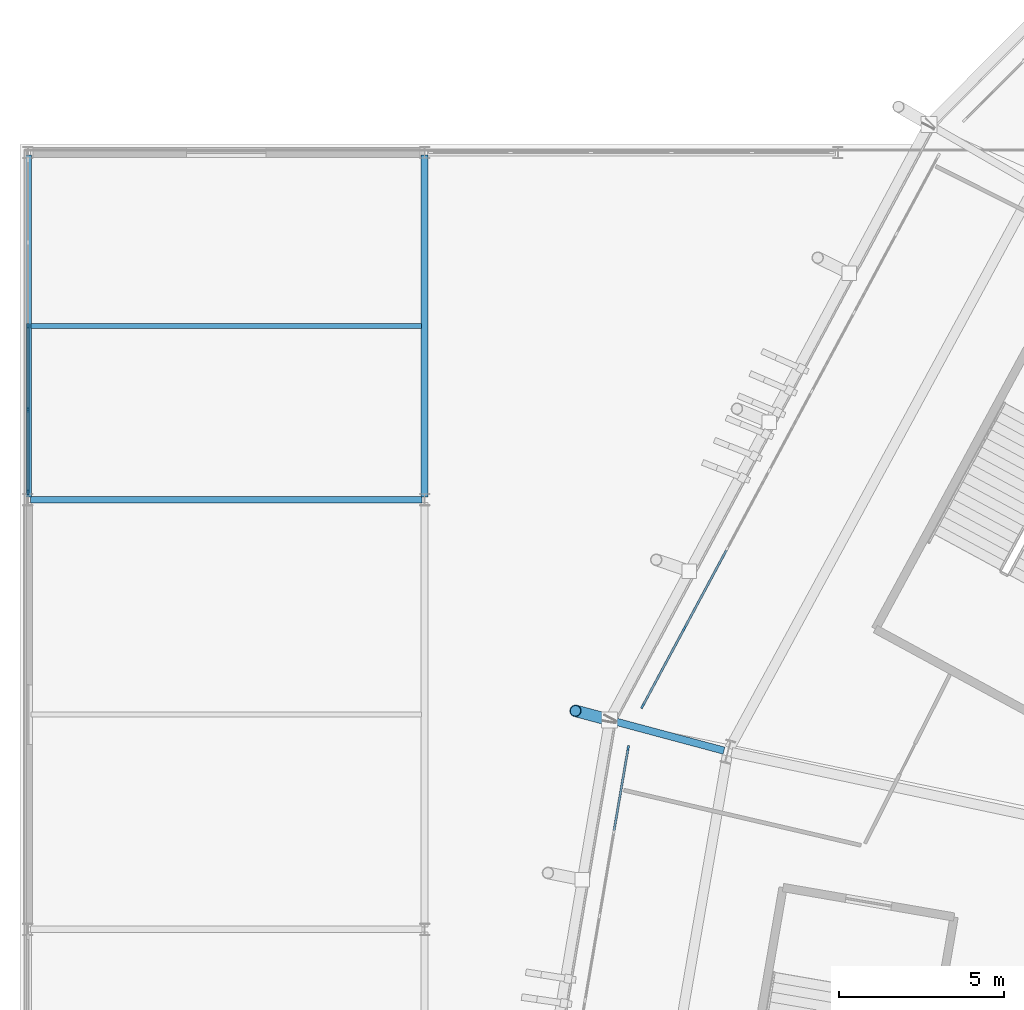
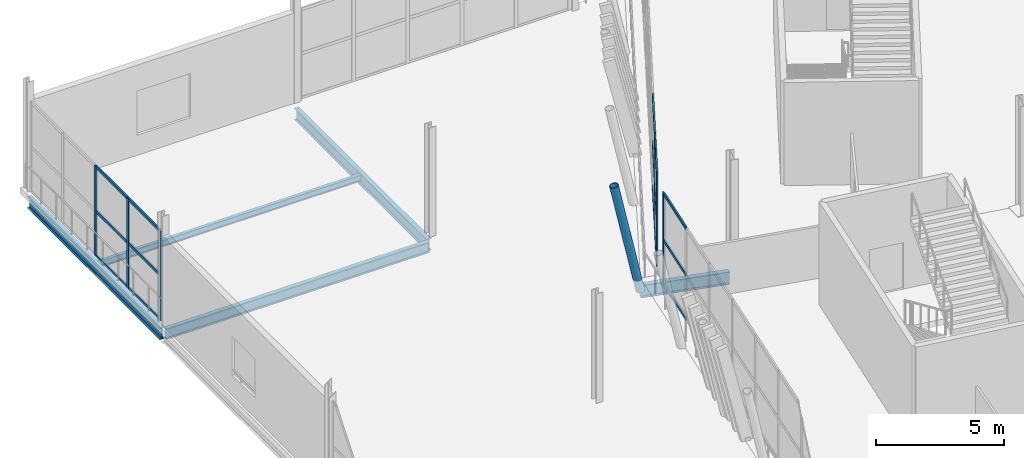
# One storey, part 40 of 168: 22 members, 5 beams, 3 elements without a shape of their own.
"""IFC4 building model written with IfcOpenShell, lengths in metres."""

from ifc_helpers import new_model, si_unit, direction, frame, origin, origin_2d, place, context, subcontext, project, spatial, rectangle, hollow_circle, i_section, extrude, material, material_profile, profile_set, type_object, element, aggregate, save


model = new_model("IFC4")

# Units and contexts
model_context = context("Model", 3, precision=1e-05, world=origin(), true_north=direction((0.0, 1.0)))
body_context = subcontext(model_context, "Body", "Model", "MODEL_VIEW")
ifc_project = project(units=[si_unit("LENGTHUNIT", "METRE"), si_unit("AREAUNIT", "SQUARE_METRE"), si_unit("VOLUMEUNIT", "CUBIC_METRE"), si_unit("PLANEANGLEUNIT", "RADIAN"), si_unit("MASSUNIT", "GRAM", prefix="KILO")], contexts=[model_context])

# Site, building, storey
site_placement = place(None, origin())
site = spatial("IfcSite", under=ifc_project, at=site_placement, CompositionType="ELEMENT")
building_placement = place(site_placement, origin())
building = spatial("IfcBuilding", under=site, at=building_placement, Name="Zlatoyarsky Gate Stadium", CompositionType="ELEMENT")
storey_placement = place(building_placement, frame((0.0, 0.0, 15.60009765625)))
storey = spatial("IfcBuildingStorey", under=building, at=storey_placement, Name="L03", CompositionType="ELEMENT", Elevation=15.60009765625)

# Curtain wall, members
ifc_material_1 = material(Name="Thermally broken anodised aluminium curtain wall", Category="aluminium")
curtain_wall_type_1 = type_object("IfcCurtainWallType", Name="UNITISED CORPORATE BOX GLAZING L03", PredefinedType="USERDEFINED", material=ifc_material_1)
curtain_wall_1_placement = place(storey_placement, origin())
curtain_wall_1 = element("IfcCurtainWall", 1, at=curtain_wall_1_placement, inside=storey, type_object=curtain_wall_type_1, Name="Curtain wall CW-L03-10", ObjectType="UNITISED GLAZING", PredefinedType="USERDEFINED")
ifc_material_2 = material(Name="Anodised aluminium 6063-T6", Category="aluminium")
ifc_material_profile_1 = material_profile(ifc_material_2, rectangle(XDim=0.06494140625, YDim=0.159912109375, at=origin_2d()), Name="ALU 65X160")
ifc_profile_set_1 = profile_set([ifc_material_profile_1], Name="Anodised aluminium 6063-T6")
member_type_1 = type_object("IfcMemberType", Name="ALUMINIUM MULLION 65X160", PredefinedType="MULLION", material=ifc_profile_set_1)
member_1_placement = place(storey_placement, frame((19.85888671875, 102.11181640625, 0.0), z_axis=(0.0, 0.0, 1.0), x_axis=(0.880877202392, -0.473344857694, 0.0)))
member_1 = element("IfcMember", 2, at=member_1_placement, type_object=member_type_1, Name="CW-UG3 mullion 7", PredefinedType="MULLION", context=body_context, shape_type="SweptSolid", body=[
    extrude(rectangle(XDim=0.06494140625, YDim=0.159912109375, at=origin_2d()), origin(), (0.0, 0.0, 1.0), 4.3798828125),
])
member_2_placement = place(storey_placement, frame((18.592041015625, 99.75439453125, 0.0), z_axis=(0.0, 0.0, 1.0), x_axis=(0.880877202392, -0.473344857694, 0.0)))
member_2 = element("IfcMember", 3, at=member_2_placement, type_object=member_type_1, Name="CW-UG3 mullion 8", PredefinedType="MULLION", context=body_context, shape_type="SweptSolid", body=[
    extrude(rectangle(XDim=0.06494140625, YDim=0.159912109375, at=origin_2d()), origin(), (0.0, 0.0, 1.0), 4.3798828125),
])

# Curtain wall, member
curtain_wall_2_placement = place(storey_placement, origin())
curtain_wall_2 = element("IfcCurtainWall", 4, at=curtain_wall_2_placement, inside=storey, type_object=curtain_wall_type_1, Name="Curtain wall CW-L03-11", ObjectType="UNITISED GLAZING", PredefinedType="USERDEFINED")
member_3_placement = place(storey_placement, frame((18.154052734375, 98.48046875, 0.0), z_axis=(0.0, 0.0, 1.0), x_axis=(0.985726202408, -0.168356330104, 0.0)))
member_3 = element("IfcMember", 5, at=member_3_placement, type_object=member_type_1, Name="CW-UG3 mullion 1", PredefinedType="MULLION", context=body_context, shape_type="SweptSolid", body=[
    extrude(rectangle(XDim=0.06494140625, YDim=0.159912109375, at=origin_2d()), origin(), (0.0, 0.0, 1.0), 4.3798828125),
])

# Curtain wall, members
curtain_wall_type_2 = type_object("IfcCurtainWallType", Name="WINTER GARDEN CONSERVATORY GLAZING", PredefinedType="USERDEFINED", material=ifc_material_1)
curtain_wall_3_placement = place(storey_placement, origin())
curtain_wall_3 = element("IfcCurtainWall", 6, at=curtain_wall_3_placement, inside=storey, type_object=curtain_wall_type_2, Name="Curtain wall CW-V4_WEST-L03-173", ObjectType="UNITISED GLAZING", PredefinedType="USERDEFINED")
member_4_placement = place(storey_placement, frame((0.0, 106.224609375, 0.0), z_axis=(0.0, 0.0, 1.0), x_axis=(-1.0, 0.0, 0.0)))
member_4 = element("IfcMember", 7, at=member_4_placement, type_object=member_type_1, Name="CW-WG1 mullion 1", PredefinedType="MULLION", context=body_context, shape_type="SweptSolid", body=[
    extrude(rectangle(XDim=0.06494140625, YDim=0.159912109375, at=origin_2d()), origin(), (0.0, 0.0, 1.0), 4.27978515625),
])
member_5_placement = place(storey_placement, frame((0.0, 108.720947265625, 0.0), z_axis=(0.0, 0.0, 1.0), x_axis=(-1.0, 0.0, 0.0)))
member_5 = element("IfcMember", 8, at=member_5_placement, type_object=member_type_1, Name="CW-WG1 mullion 2", PredefinedType="MULLION", context=body_context, shape_type="SweptSolid", body=[
    extrude(rectangle(XDim=0.06494140625, YDim=0.159912109375, at=origin_2d()), origin(), (0.0, 0.0, 1.0), 4.27978515625),
])
member_6_placement = place(storey_placement, frame((0.0, 111.25, 0.0), z_axis=(0.0, 0.0, 1.0), x_axis=(-1.0, 0.0, 0.0)))
member_6 = element("IfcMember", 9, at=member_6_placement, type_object=member_type_1, Name="CW-WG1 mullion 3", PredefinedType="MULLION", context=body_context, shape_type="SweptSolid", body=[
    extrude(rectangle(XDim=0.06494140625, YDim=0.159912109375, at=origin_2d()), origin(), (0.0, 0.0, 1.0), 4.27978515625),
])

# Member
ifc_material_profile_2 = material_profile(ifc_material_2, rectangle(XDim=0.06494140625, YDim=0.139892578125, at=origin_2d()), Name="ALU 65X140")
ifc_profile_set_2 = profile_set([ifc_material_profile_2], Name="Anodised aluminium 6063-T6")
member_type_2 = type_object("IfcMemberType", Name="ALUMINIUM TRANSOM 65X140", PredefinedType="USERDEFINED", material=ifc_profile_set_2)
member_7_placement = place(storey_placement, frame((21.125732421875, 104.469482421875, 0.032470703125), z_axis=(-0.473356241073, -0.880871085368, 0.0), x_axis=(0.880871085368, -0.473356241073, 0.0)))
member_7 = element("IfcMember", 10, at=member_7_placement, type_object=member_type_2, Name="CW-UG3 transom 6.1", ObjectType="TRANSOM", PredefinedType="USERDEFINED", context=body_context, shape_type="SweptSolid", body=[
    extrude(rectangle(XDim=0.06494140625, YDim=0.139892578125, at=origin_2d()), origin(), (0.0, 0.0, 1.0), 2.643798828125),
])

member_8_placement = place(storey_placement, frame((21.125732421875, 104.469482421875, 2.14990234375), z_axis=(-0.473356241073, -0.880871085368, 0.0), x_axis=(0.880871085368, -0.473356241073, 0.0)))
member_8 = element("IfcMember", 11, at=member_8_placement, type_object=member_type_2, Name="CW-UG3 transom 6.2", ObjectType="TRANSOM", PredefinedType="USERDEFINED", context=body_context, shape_type="SweptSolid", body=[
    extrude(rectangle(XDim=0.06494140625, YDim=0.139892578125, at=origin_2d()), origin(), (0.0, 0.0, 1.0), 2.643798828125),
])

member_9_placement = place(storey_placement, frame((21.125732421875, 104.469482421875, 4.347412109375), z_axis=(-0.473356241073, -0.880871085368, 0.0), x_axis=(0.880871085368, -0.473356241073, 0.0)))
member_9 = element("IfcMember", 12, at=member_9_placement, type_object=member_type_2, Name="CW-UG3 transom 6.3", ObjectType="TRANSOM", PredefinedType="USERDEFINED", context=body_context, shape_type="SweptSolid", body=[
    extrude(rectangle(XDim=0.06494140625, YDim=0.139892578125, at=origin_2d()), origin(), (0.0, 0.0, 1.0), 2.643798828125),
])

member_10_placement = place(storey_placement, frame((19.843505859375, 102.083251953125, 0.032470703125), z_axis=(-0.473347001092, -0.880876050621, 0.0), x_axis=(0.880876050621, -0.473347001092, 0.0)))
member_10 = element("IfcMember", 13, at=member_10_placement, type_object=member_type_2, Name="CW-UG3 transom 7.1", ObjectType="TRANSOM", PredefinedType="USERDEFINED", context=body_context, shape_type="SweptSolid", body=[
    extrude(rectangle(XDim=0.06494140625, YDim=0.139892578125, at=origin_2d()), origin(), (0.0, 0.0, 1.0), 2.611328125),
])

member_11_placement = place(storey_placement, frame((19.843505859375, 102.083251953125, 2.14990234375), z_axis=(-0.473347001092, -0.880876050621, 0.0), x_axis=(0.880876050621, -0.473347001092, 0.0)))
member_11 = element("IfcMember", 14, at=member_11_placement, type_object=member_type_2, Name="CW-UG3 transom 7.2", ObjectType="TRANSOM", PredefinedType="USERDEFINED", context=body_context, shape_type="SweptSolid", body=[
    extrude(rectangle(XDim=0.06494140625, YDim=0.139892578125, at=origin_2d()), origin(), (0.0, 0.0, 1.0), 2.611328125),
])

member_12_placement = place(storey_placement, frame((19.843505859375, 102.083251953125, 4.347412109375), z_axis=(-0.473347001092, -0.880876050621, 0.0), x_axis=(0.880876050621, -0.473347001092, 0.0)))
member_12 = element("IfcMember", 15, at=member_12_placement, type_object=member_type_2, Name="CW-UG3 transom 7.3", ObjectType="TRANSOM", PredefinedType="USERDEFINED", context=body_context, shape_type="SweptSolid", body=[
    extrude(rectangle(XDim=0.06494140625, YDim=0.139892578125, at=origin_2d()), origin(), (0.0, 0.0, 1.0), 2.611328125),
])

aggregate(curtain_wall_1, [member_1, member_2, member_7, member_8, member_9, member_10, member_11, member_12])

member_13_placement = place(storey_placement, frame((18.148681640625, 98.448486328125, 0.032470703125), z_axis=(-0.168368421293, -0.985724137227, 0.0), x_axis=(0.985724137227, -0.168368421293, 0.0)))
member_13 = element("IfcMember", 16, at=member_13_placement, type_object=member_type_2, Name="CW-UG3 transom 1.1", ObjectType="TRANSOM", PredefinedType="USERDEFINED", context=body_context, shape_type="SweptSolid", body=[
    extrude(rectangle(XDim=0.06494140625, YDim=0.139892578125, at=origin_2d()), origin(), (0.0, 0.0, 1.0), 2.49267578125),
])

member_14_placement = place(storey_placement, frame((18.148681640625, 98.448486328125, 2.14990234375), z_axis=(-0.168368421293, -0.985724137227, 0.0), x_axis=(0.985724137227, -0.168368421293, 0.0)))
member_14 = element("IfcMember", 17, at=member_14_placement, type_object=member_type_2, Name="CW-UG3 transom 1.2", ObjectType="TRANSOM", PredefinedType="USERDEFINED", context=body_context, shape_type="SweptSolid", body=[
    extrude(rectangle(XDim=0.06494140625, YDim=0.139892578125, at=origin_2d()), origin(), (0.0, 0.0, 1.0), 2.49267578125),
])

member_15_placement = place(storey_placement, frame((18.148681640625, 98.448486328125, 4.347412109375), z_axis=(-0.168368421293, -0.985724137227, 0.0), x_axis=(0.985724137227, -0.168368421293, 0.0)))
member_15 = element("IfcMember", 18, at=member_15_placement, type_object=member_type_2, Name="CW-UG3 transom 1.3", ObjectType="TRANSOM", PredefinedType="USERDEFINED", context=body_context, shape_type="SweptSolid", body=[
    extrude(rectangle(XDim=0.06494140625, YDim=0.139892578125, at=origin_2d()), origin(), (0.0, 0.0, 1.0), 2.49267578125),
])

aggregate(curtain_wall_2, [member_3, member_13, member_14, member_15])

member_16_placement = place(storey_placement, frame((0.0, 106.257080078125, 0.032470703125), z_axis=(0.0, 1.0, 0.0), x_axis=(-1.0, 0.0, 0.0)))
member_16 = element("IfcMember", 19, at=member_16_placement, type_object=member_type_2, Name="CW-WG1 transom 1.1", ObjectType="TRANSOM", PredefinedType="USERDEFINED", context=body_context, shape_type="SweptSolid", body=[
    extrude(rectangle(XDim=0.06494140625, YDim=0.139892578125, at=origin_2d()), origin(), (0.0, 0.0, 1.0), 2.431396484375),
])

member_17_placement = place(storey_placement, frame((0.0, 106.257080078125, 2.14990234375), z_axis=(0.0, 1.0, 0.0), x_axis=(-1.0, 0.0, 0.0)))
member_17 = element("IfcMember", 20, at=member_17_placement, type_object=member_type_2, Name="CW-WG1 transom 1.2", ObjectType="TRANSOM", PredefinedType="USERDEFINED", context=body_context, shape_type="SweptSolid", body=[
    extrude(rectangle(XDim=0.06494140625, YDim=0.139892578125, at=origin_2d()), origin(), (0.0, 0.0, 1.0), 2.431396484375),
])

member_18_placement = place(storey_placement, frame((0.0, 106.257080078125, 4.247314453125), z_axis=(0.0, 1.0, 0.0), x_axis=(-1.0, 0.0, 0.0)))
member_18 = element("IfcMember", 21, at=member_18_placement, type_object=member_type_2, Name="CW-WG1 transom 1.3", ObjectType="TRANSOM", PredefinedType="USERDEFINED", context=body_context, shape_type="SweptSolid", body=[
    extrude(rectangle(XDim=0.06494140625, YDim=0.139892578125, at=origin_2d()), origin(), (0.0, 0.0, 1.0), 2.431396484375),
])

member_19_placement = place(storey_placement, frame((0.0, 108.75341796875, 0.032470703125), z_axis=(0.0, 1.0, 0.0), x_axis=(-1.0, 0.0, 0.0)))
member_19 = element("IfcMember", 22, at=member_19_placement, type_object=member_type_2, Name="CW-WG1 transom 2.1", ObjectType="TRANSOM", PredefinedType="USERDEFINED", context=body_context, shape_type="SweptSolid", body=[
    extrude(rectangle(XDim=0.06494140625, YDim=0.139892578125, at=origin_2d()), origin(), (0.0, 0.0, 1.0), 2.464111328125),
])

member_20_placement = place(storey_placement, frame((0.0, 108.75341796875, 2.14990234375), z_axis=(0.0, 1.0, 0.0), x_axis=(-1.0, 0.0, 0.0)))
member_20 = element("IfcMember", 23, at=member_20_placement, type_object=member_type_2, Name="CW-WG1 transom 2.2", ObjectType="TRANSOM", PredefinedType="USERDEFINED", context=body_context, shape_type="SweptSolid", body=[
    extrude(rectangle(XDim=0.06494140625, YDim=0.139892578125, at=origin_2d()), origin(), (0.0, 0.0, 1.0), 2.464111328125),
])

member_21_placement = place(storey_placement, frame((0.0, 108.75341796875, 4.247314453125), z_axis=(0.0, 1.0, 0.0), x_axis=(-1.0, 0.0, 0.0)))
member_21 = element("IfcMember", 24, at=member_21_placement, type_object=member_type_2, Name="CW-WG1 transom 2.3", ObjectType="TRANSOM", PredefinedType="USERDEFINED", context=body_context, shape_type="SweptSolid", body=[
    extrude(rectangle(XDim=0.06494140625, YDim=0.139892578125, at=origin_2d()), origin(), (0.0, 0.0, 1.0), 2.464111328125),
])

aggregate(curtain_wall_3, [member_4, member_5, member_6, member_16, member_17, member_18, member_19, member_20, member_21])

# Beams
ifc_material_3 = material(Name="Steel S355", Category="steel")
ifc_material_profile_3 = material_profile(ifc_material_3, i_section(OverallWidth=0.219970703125, OverallDepth=0.60009765625, WebThickness=0.011962890625, FlangeThickness=0.01904296875, FilletRadius=0.02392578125, at=origin_2d()), Name="IPE 600")
ifc_profile_set_3 = profile_set([ifc_material_profile_3], Name="Steel S355")
beam_type_1 = type_object("IfcBeamType", Name="STEEL CANTILEVER FLOOR BEAM IPE 600", PredefinedType="BEAM", material=ifc_profile_set_3)
beam_1_placement = place(storey_placement, frame((21.052978515625, 98.4072265625, -0.580078125), z_axis=(-0.965919758856, 0.258841688008, 0.0), x_axis=(-0.258841688008, -0.965919758856, 0.0)))
element("IfcBeam", 25, at=beam_1_placement, inside=storey, type_object=beam_type_1, Name="Beam B-IPE600 BM-L03-OUT-11", PredefinedType="BEAM", context=body_context, shape_type="SweptSolid", body=[
    extrude(i_section(OverallWidth=0.219970703125, OverallDepth=0.60009765625, WebThickness=0.011962890625, FlangeThickness=0.01904296875, FilletRadius=0.02392578125, at=origin_2d()), origin(), (0.0, 0.0, 1.0), 3.582275390625),
])
ifc_material_profile_4 = material_profile(ifc_material_3, i_section(OverallWidth=0.199951171875, OverallDepth=0.5, WebThickness=0.01025390625, FlangeThickness=0.01611328125, FilletRadius=0.02099609375, at=origin_2d()), Name="IPE 500")
ifc_profile_set_4 = profile_set([ifc_material_profile_4], Name="Steel S355")
beam_type_2 = type_object("IfcBeamType", Name="STEEL FLOOR BEAM IPE 500", PredefinedType="BEAM", material=ifc_profile_set_4)
beam_2_placement = place(storey_placement, frame((0.080078125, 106.0, -0.530029296875), z_axis=(1.0, 0.0, 0.0), x_axis=(0.0, 1.0, 0.0)))
element("IfcBeam", 26, at=beam_2_placement, inside=storey, type_object=beam_type_2, Name="Beam B-IPE500 BM-L03-WGX-1-K", PredefinedType="BEAM", context=body_context, shape_type="SweptSolid", body=[
    extrude(i_section(OverallWidth=0.199951171875, OverallDepth=0.5, WebThickness=0.01025390625, FlangeThickness=0.01611328125, FilletRadius=0.02099609375, at=origin_2d()), origin(), (0.0, 0.0, 1.0), 11.83984375),
])
ifc_material_profile_5 = material_profile(ifc_material_3, i_section(OverallWidth=0.2099609375, OverallDepth=0.550048828125, WebThickness=0.010986328125, FlangeThickness=0.01708984375, FilletRadius=0.02392578125, at=origin_2d()), Name="IPE 550")
ifc_profile_set_5 = profile_set([ifc_material_profile_5], Name="Steel S355")
beam_type_3 = type_object("IfcBeamType", Name="STEEL FLOOR BEAM IPE 550", PredefinedType="BEAM", material=ifc_profile_set_5)
for number, where, z_axis, x_axis, name in (
    (27, (0.0, 106.080078125, -0.55517578125), (0.0, 1.0, 0.0), (-1.0, 0.0, 0.0), "Beam B-IPE550 BM-L03-WGY-1-K"),
    (28, (12.0, 106.080078125, -0.55517578125), (0.0, 1.0, 0.0), (-1.0, 0.0, 0.0), "Beam B-IPE550 BM-L03-WGY-2-K"),
):
    element("IfcBeam", number, at=place(storey_placement, frame(where, z_axis=z_axis, x_axis=x_axis)), inside=storey, type_object=beam_type_3, Name=name, PredefinedType="BEAM", context=body_context, shape_type="SweptSolid", body=[
        extrude(i_section(OverallWidth=0.2099609375, OverallDepth=0.550048828125, WebThickness=0.010986328125, FlangeThickness=0.01708984375, FilletRadius=0.02392578125, at=origin_2d()), origin(), (0.0, 0.0, 1.0), 10.33984375),
    ])

# Member
ifc_material_profile_6 = material_profile(ifc_material_3, hollow_circle(Radius=0.177734375, WallThickness=0.02001953125, at=origin_2d()), Name="CHS 355.6X20")
ifc_profile_set_6 = profile_set([ifc_material_profile_6], Name="Steel S355")
member_type_3 = type_object("IfcMemberType", Name="STEEL LEANING RIB RING STRUT CHS 355.6X20", PredefinedType="STRUT", material=ifc_profile_set_6)
member_22_placement = place(storey_placement, frame((17.5927734375, 99.33447265625, -0.580078125), z_axis=(-0.19494308955, 0.052209480057, 0.979423995024), x_axis=(-0.258701784688, -0.965957238494, 0.0)))
element("IfcMember", 29, at=member_22_placement, inside=storey, type_object=member_type_3, Name="Leaning ring strut 11 L03 to L04", PredefinedType="STRUT", context=body_context, shape_type="SweptSolid", body=[
    extrude(hollow_circle(Radius=0.177734375, WallThickness=0.02001953125, at=origin_2d()), origin(), (0.0, 0.0, 1.0), 5.288818359375),
])

# Beam
ifc_material_profile_7 = material_profile(ifc_material_3, i_section(OverallWidth=0.14990234375, OverallDepth=0.300048828125, WebThickness=0.007080078125, FlangeThickness=0.0107421875, FilletRadius=0.014892578125, at=origin_2d()), Name="IPE 300")
ifc_profile_set_7 = profile_set([ifc_material_profile_7], Name="Steel S355")
beam_type_4 = type_object("IfcBeamType", Name="STEEL SECONDARY JOIST IPE 300", PredefinedType="JOIST", material=ifc_profile_set_7)
beam_3_placement = place(storey_placement, frame((0.090087890625, 111.25, -0.43017578125), z_axis=(1.0, 0.0, 0.0), x_axis=(0.0, 1.0, 0.0)))
element("IfcBeam", 30, at=beam_3_placement, inside=storey, type_object=beam_type_4, Name="Beam J-IPE300 JST-L03-1-K", PredefinedType="JOIST", context=body_context, shape_type="SweptSolid", body=[
    extrude(i_section(OverallWidth=0.14990234375, OverallDepth=0.300048828125, WebThickness=0.007080078125, FlangeThickness=0.0107421875, FilletRadius=0.014892578125, at=origin_2d()), origin(), (0.0, 0.0, 1.0), 11.81982421875),
])

save(model, "model.ifc")
